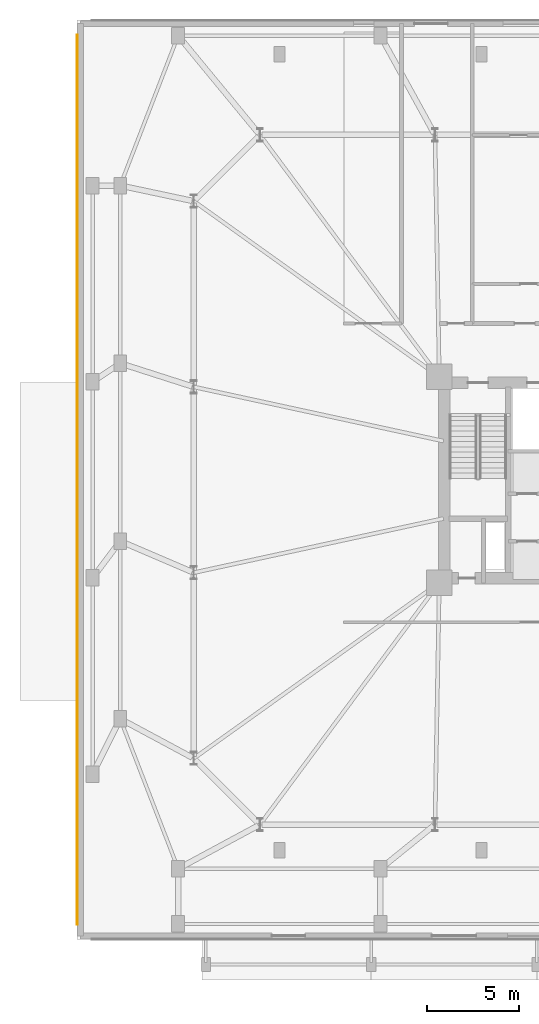
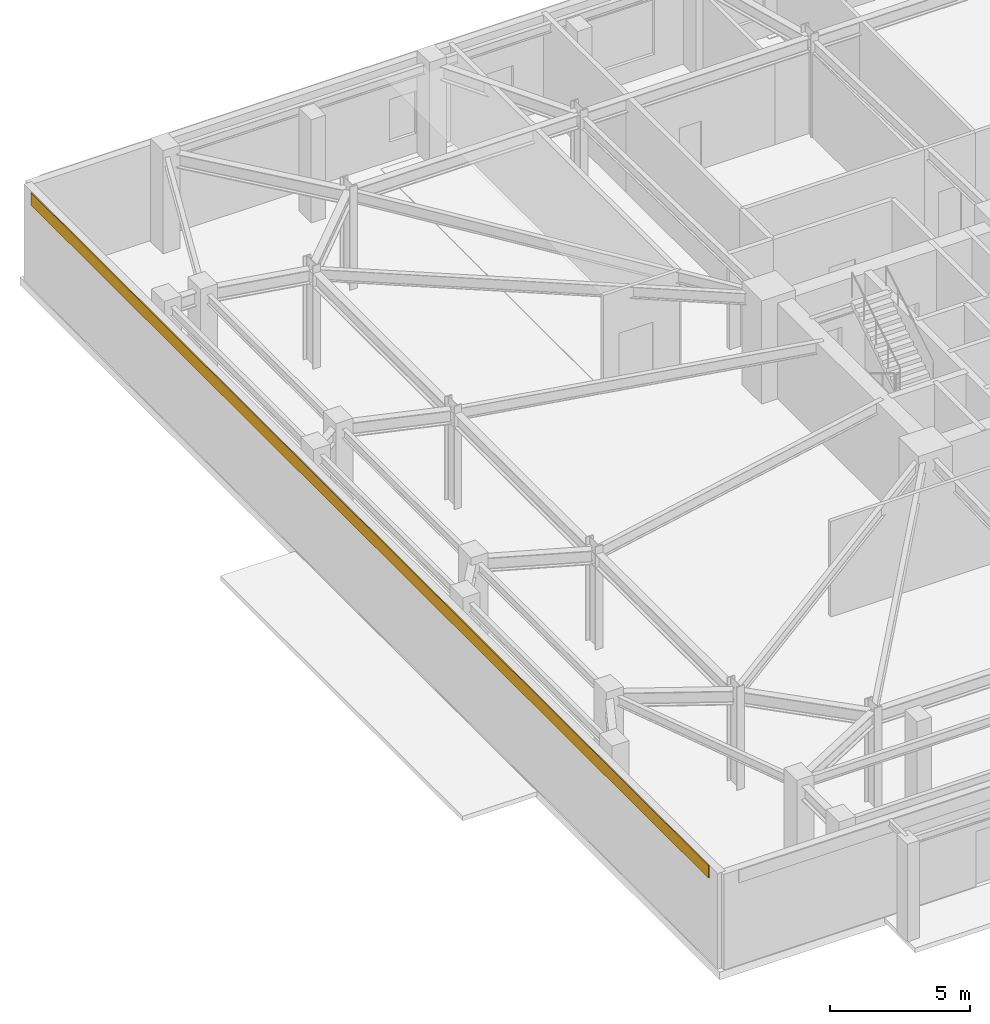
# One storey, part 13 of 18: 1 covering.
"""IFC4 building model written with IfcOpenShell, lengths in metres."""

import ifcopenshell
import ifcopenshell.guid

model = None  # the IFC model being written
_history = None  # IfcOwnerHistory: only IFC2X3 demands one
_inside = {}  # id of a spatial element -> (the spatial element, [elements in it])
_under = {}  # id of a project, library or spatial element -> (it, [spatial elements below it])
_declared = {}  # id of a project -> (the project, [libraries it declares])
_typed = {}  # id of a type object -> (the type object, [elements of that type])
_made_of = {}  # id of a material, layer set ... -> (it, [elements and type objects made of it])


def new_model(schema):
    """Start an empty IFC model of exactly this schema.

    Asked for "IFC4X3", IfcOpenShell would pick the latest addendum, in which some entities
    have other attributes; the version numbers below select the first issue.
    IFC2X3 requires an IfcOwnerHistory on every rooted entity: one is made here for all.
    """
    global model, _history
    if schema == "IFC4X3":
        model = ifcopenshell.file(schema_version=(4, 3, 0, 0))
    else:
        model = ifcopenshell.file(schema=schema)
    _inside.clear()
    _under.clear()
    _declared.clear()
    _typed.clear()
    _made_of.clear()
    _history = None
    if model.schema == "IFC2X3":
        org = make("IfcOrganization", Name="unknown")
        user = make(
            "IfcPersonAndOrganization",
            ThePerson=make("IfcPerson", FamilyName="unknown"),
            TheOrganization=org,
        )
        app = make(
            "IfcApplication",
            ApplicationDeveloper=org,
            Version="unknown",
            ApplicationFullName="unknown",
            ApplicationIdentifier="unknown",
        )
        _history = make(
            "IfcOwnerHistory",
            OwningUser=user,
            OwningApplication=app,
            ChangeAction="ADDED",
            CreationDate=0,
        )
    return model


def make(cls, **values):
    """One entity of the class cls with the attributes given. An attribute that is None is left unset."""
    return model.create_entity(
        cls, **{name: value for name, value in values.items() if value is not None}
    )


def rooted(cls, **values):
    """An entity with a GlobalId (a new one), such as an element, a storey or a relation."""
    return make(cls, GlobalId=ifcopenshell.guid.new(), OwnerHistory=_history, **values)


def si_unit(unit_type, name, prefix=None):
    """IfcSIUnit, for example si_unit("LENGTHUNIT", "METRE", prefix="MILLI")."""
    return make("IfcSIUnit", UnitType=unit_type, Prefix=prefix, Name=name)


def assignment(units):
    """IfcUnitAssignment: the units of a project."""
    return None if units is None else make("IfcUnitAssignment", Units=units)


def point(xyz):
    """IfcCartesianPoint."""
    return None if xyz is None else make("IfcCartesianPoint", Coordinates=xyz)


def direction(xyz):
    """IfcDirection."""
    return None if xyz is None else make("IfcDirection", DirectionRatios=xyz)


def frame(location, z_axis=None, x_axis=None):
    """IfcAxis2Placement3D, a coordinate frame: its origin and axes. An axis left out is left unset."""
    return make(
        "IfcAxis2Placement3D",
        Location=point(location),
        Axis=direction(z_axis),
        RefDirection=direction(x_axis),
    )


def origin():
    """The frame at (0, 0, 0) with its axes left unset."""
    return frame((0.0, 0.0, 0.0))


def place(relative_to, where):
    """IfcLocalPlacement: puts the frame where relative to a parent placement (None: the world)."""
    return make(
        "IfcLocalPlacement", PlacementRelTo=relative_to, RelativePlacement=where
    )


def context(
    kind, dimensions, precision=None, world=None, true_north=None, identifier=None
):
    """IfcGeometricRepresentationContext, for example the 3D "Model" context."""
    return make(
        "IfcGeometricRepresentationContext",
        ContextIdentifier=identifier,
        ContextType=kind,
        CoordinateSpaceDimension=dimensions,
        Precision=precision,
        WorldCoordinateSystem=world,
        TrueNorth=true_north,
    )


def subcontext(parent, identifier, kind, view, scale=None):
    """IfcGeometricRepresentationSubContext, for example "Body" below "Model"."""
    return make(
        "IfcGeometricRepresentationSubContext",
        ContextIdentifier=identifier,
        ContextType=kind,
        ParentContext=parent,
        TargetScale=scale,
        TargetView=view,
    )


def project(units=None, contexts=None):
    """IfcProject with its units and contexts."""
    return rooted(
        "IfcProject",
        Name="project",
        RepresentationContexts=contexts,
        UnitsInContext=assignment(units),
    )


def spatial(cls, under=None, at=None, **own):
    """A site, building, storey or space (cls), placed at a placement, below another one or the project."""
    s = rooted(cls, ObjectPlacement=at, **own)
    if under is not None:
        _under.setdefault(under.id(), (under, []))[1].append(s)
    return s


def polyline(points):
    """IfcPolyline through the points."""
    return make("IfcPolyline", Points=[point(p) for p in points])


def outline(outer, holes=None, kind="AREA"):
    """IfcArbitraryClosedProfileDef: a profile drawn as a closed curve; with holes, ...WithVoids."""
    if holes is None:
        return make("IfcArbitraryClosedProfileDef", ProfileType=kind, OuterCurve=outer)
    return make(
        "IfcArbitraryProfileDefWithVoids",
        ProfileType=kind,
        OuterCurve=outer,
        InnerCurves=holes,
    )


def extrude(swept, where, along, depth):
    """IfcExtrudedAreaSolid: the profile swept, set in the frame where, extruded along a direction by depth."""
    return make(
        "IfcExtrudedAreaSolid",
        SweptArea=swept,
        Position=where,
        ExtrudedDirection=direction(along),
        Depth=depth,
    )


def shape(context_of_items, identifier, shape_type, items):
    """IfcShapeRepresentation: the items that make up one representation, for example the "Body"."""
    return make(
        "IfcShapeRepresentation",
        ContextOfItems=context_of_items,
        RepresentationIdentifier=identifier,
        RepresentationType=shape_type,
        Items=items,
    )


def material(Name=None, Category=None):
    """IfcMaterial."""
    return make("IfcMaterial", Name=Name, Category=Category)


def layer(
    of_material, thickness, ventilated=None, Name=None, Category=None, Priority=None
):
    """IfcMaterialLayer: one layer of a wall or slab, of a material (None: an air gap)."""
    return make(
        "IfcMaterialLayer",
        Material=of_material,
        LayerThickness=thickness,
        IsVentilated=ventilated,
        Name=Name,
        Category=Category,
        Priority=Priority,
    )


def layer_set(layers, Name=None):
    """IfcMaterialLayerSet."""
    return make("IfcMaterialLayerSet", MaterialLayers=layers, LayerSetName=Name)


def made_of(thing, what):
    """Note that an element or type object is made of a material, layer set ...; save() writes the relation."""
    if what is not None:
        _made_of.setdefault(what.id(), (what, []))[1].append(thing)
    return thing


def type_object(cls, material=None, **own):
    """A type object (cls), such as IfcWallType, which elements share."""
    return made_of(rooted(cls, **own), material)


def element(
    cls,
    number,
    at=None,
    inside=None,
    cuts=None,
    type_object=None,
    material=None,
    context=None,
    identifier="Body",
    shape_type=None,
    held_by="IfcProductDefinitionShape",
    body=None,
    shapes=None,
    **own,
):
    """One element of the class cls, such as IfcWall. Its Tag is "e" and its number.

    at: its placement. inside: the storey or other place that contains it. cuts: it is an
    opening in that element (IfcRelVoidsElement). A single representation is given by context,
    identifier, shape_type and body (its items); several are given by shapes. held_by: the class
    of the entity that holds the representations. save() writes the other relations.
    """
    e = rooted(cls, Tag="e%d" % number, ObjectPlacement=at, **own)
    if body is not None:
        shapes = [shape(context, identifier, shape_type, body)]
    if shapes is not None:
        e.Representation = make(held_by, Representations=shapes)
    if inside is not None:
        _inside.setdefault(inside.id(), (inside, []))[1].append(e)
    if cuts is not None:
        rooted(
            "IfcRelVoidsElement", RelatingBuildingElement=cuts, RelatedOpeningElement=e
        )
    if type_object is not None:
        _typed.setdefault(type_object.id(), (type_object, []))[1].append(e)
    return made_of(e, material)


def aggregate(whole, parts):
    """IfcRelAggregates: a whole, such as a stair, and the parts it consists of."""
    return rooted("IfcRelAggregates", RelatingObject=whole, RelatedObjects=parts)


def save(model, path):
    """Write the relations noted so far, then the file.

    IfcRelAggregates (storeys below a building ...), IfcRelContainedInSpatialStructure (elements
    in a storey), IfcRelDefinesByType, IfcRelAssociatesMaterial and IfcRelDeclares: one each for
    every whole, place, type object, material and project.
    """
    for whole, parts in _under.values():
        aggregate(whole, parts)
    for where, things in _inside.values():
        rooted(
            "IfcRelContainedInSpatialStructure",
            RelatedElements=things,
            RelatingStructure=where,
        )
    for kind, things in _typed.values():
        rooted("IfcRelDefinesByType", RelatedObjects=things, RelatingType=kind)
    for what, things in _made_of.values():
        rooted("IfcRelAssociatesMaterial", RelatedObjects=things, RelatingMaterial=what)
    for by, libraries in _declared.values():
        rooted("IfcRelDeclares", RelatingContext=by, RelatedDefinitions=libraries)
    model.write(path)


model = new_model("IFC4")

# Units and contexts
model_context = context("Model", 3, precision=1e-05, world=origin(), true_north=direction((0.0, 1.0)))
body_context = subcontext(model_context, "Body", "Model", "MODEL_VIEW")
ifc_project = project(units=[si_unit("LENGTHUNIT", "METRE"), si_unit("AREAUNIT", "SQUARE_METRE"), si_unit("VOLUMEUNIT", "CUBIC_METRE"), si_unit("PLANEANGLEUNIT", "RADIAN"), si_unit("MASSUNIT", "GRAM", prefix="KILO")], contexts=[model_context])

# Site, building, storey
site_placement = place(None, origin())
site = spatial("IfcSite", under=ifc_project, at=site_placement, CompositionType="ELEMENT")
building_placement = place(site_placement, origin())
building = spatial("IfcBuilding", under=site, at=building_placement, Name="Qobustan Lattice House", CompositionType="ELEMENT")
storey_placement = place(building_placement, origin())
storey = spatial("IfcBuildingStorey", under=building, at=storey_placement, Name="L00", CompositionType="ELEMENT", Elevation=0.0)

# Covering
ifc_material = material(Name="Qobustan buff limestone cladding", Category="masonry")
ifc_layer = layer(ifc_material, 0.044921875)
ifc_layer_set = layer_set([ifc_layer], Name="Qobustan buff limestone cladding")
covering_type = type_object("IfcCoveringType", Name="COV-STONE-CLAD", PredefinedType="CLADDING", material=ifc_layer_set)
covering_placement = place(storey_placement, frame((0.0, 0.0, 3.6201171875)))
element("IfcCovering", 1, at=covering_placement, inside=storey, type_object=covering_type, Name="L00 W Qobustan limestone cornice band", PredefinedType="CLADDING", context=body_context, shape_type="SweptSolid", body=[
    extrude(outline(polyline([(-38.4580078125, -24.199951171875), (-38.5029296875, -24.199951171875), (-38.5029296875, 24.199951171875), (-38.4580078125, 24.199951171875), (-38.4580078125, -24.199951171875)])), origin(), (0.0, 0.0, 1.0), 0.5498046875),
])

save(model, "model.ifc")
